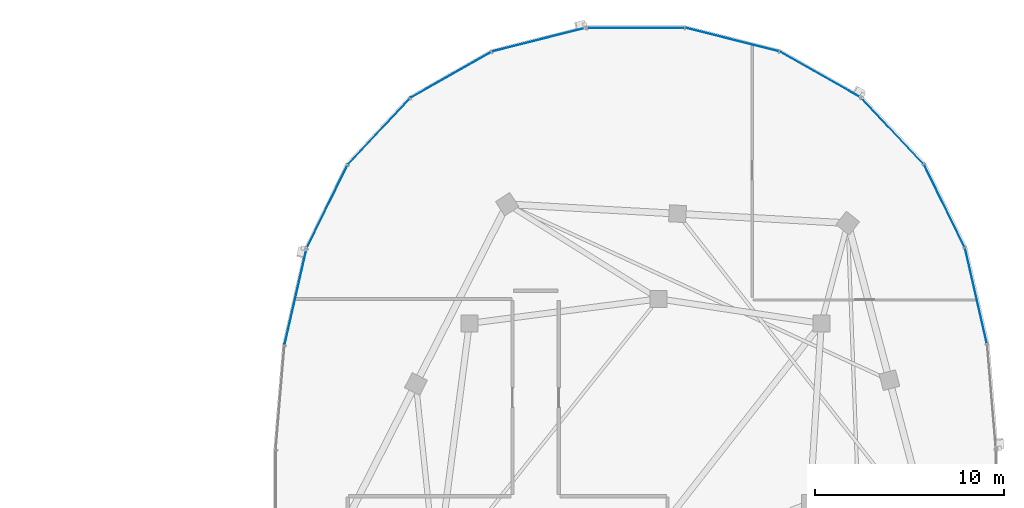
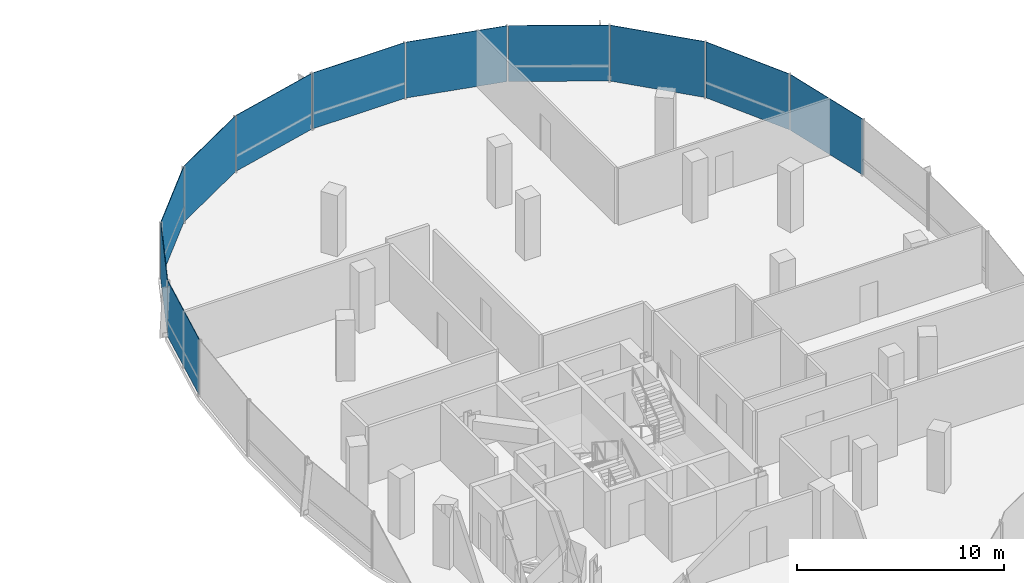
# One storey, part 14 of 25: 11 plates, 2 elements without a shape of their own.
"""IFC4 building model written with IfcOpenShell, lengths in metres."""

from ifc_helpers import new_model, si_unit, direction, frame, origin, origin_2d, place, context, subcontext, project, spatial, rectangle, extrude, material, layer, layer_set, type_object, element, aggregate, save


model = new_model("IFC4")

# Units and contexts
model_context = context("Model", 3, precision=1e-05, world=origin(), true_north=direction((0.0, 1.0)))
body_context = subcontext(model_context, "Body", "Model", "MODEL_VIEW")
ifc_project = project(units=[si_unit("LENGTHUNIT", "METRE"), si_unit("AREAUNIT", "SQUARE_METRE"), si_unit("VOLUMEUNIT", "CUBIC_METRE"), si_unit("PLANEANGLEUNIT", "RADIAN"), si_unit("MASSUNIT", "GRAM", prefix="KILO"), si_unit("THERMODYNAMICTEMPERATUREUNIT", "KELVIN"), si_unit("POWERUNIT", "WATT")], contexts=[model_context])

# Site, building, storey
site_placement = place(None, origin())
site = spatial("IfcSite", under=ifc_project, at=site_placement, CompositionType="ELEMENT")
building_placement = place(site_placement, origin())
building = spatial("IfcBuilding", under=site, at=building_placement, Name="Cundina Bronze Exchange", CompositionType="ELEMENT")
storey_placement = place(building_placement, frame((0.0, 0.0, 213.39990234375)))
storey = spatial("IfcBuildingStorey", under=building, at=storey_placement, Name="L56", CompositionType="ELEMENT", Elevation=213.39990234375)

# Curtain wall, plates
ifc_material_1 = material(Name="Anodised Bronze Aluminium 6063-T6", Category="aluminium")
curtain_wall_type = type_object("IfcCurtainWallType", Name="CWS-UPP-OFF", PredefinedType="NOTDEFINED", material=ifc_material_1)
curtain_wall_1_placement = place(storey_placement, origin())
curtain_wall_1 = element("IfcCurtainWall", 1, at=curtain_wall_1_placement, inside=storey, type_object=curtain_wall_type, Name="L56 CW-05 Curtain Wall Run CWR-L56-E1", PredefinedType="NOTDEFINED")
ifc_material_2 = material(Name="Heat-Strengthened Solar-Control Bronze Safety Glass 28mm", Category="glass")
ifc_layer_1 = layer(ifc_material_2, 0.028076171875, Name="Heat-Strengthened Solar-Control Bronze Safety Glass 28mm", Category="glass")
ifc_layer_set_1 = layer_set([ifc_layer_1], Name="Heat-Strengthened Solar-Control Bronze Safety Glass 28mm")
plate_type_1 = type_object("IfcPlateType", Name="PLT-GLZ-VIS28", PredefinedType="CURTAIN_PANEL", material=ifc_layer_set_1)
plate_1_placement = place(storey_placement, frame((49.98388671875, 10.92578125, 0.02001953125), z_axis=(0.0, 0.0, 1.0), x_axis=(-0.223284141459, 0.974753400698, 0.0)))
plate_1 = element("IfcPlate", 2, at=plate_1_placement, type_object=plate_type_1, Name="CW-05 Glazed Panel 2", PredefinedType="CURTAIN_PANEL", context=body_context, shape_type="SweptSolid", body=[
    extrude(rectangle(XDim=5.167724609375, YDim=0.028076171875, at=origin_2d()), origin(), (0.0, 0.0, 1.0), 3.300048828125),
])
plate_2_placement = place(storey_placement, frame((48.314697265625, 15.686767578125, 0.02001953125), z_axis=(0.0, 0.0, 1.0), x_axis=(-0.440503330345, 0.897750976582, 0.0)))
plate_2 = element("IfcPlate", 3, at=plate_2_placement, type_object=plate_type_1, Name="CW-05 Glazed Panel 3", PredefinedType="CURTAIN_PANEL", context=body_context, shape_type="SweptSolid", body=[
    extrude(rectangle(XDim=4.863525390625, YDim=0.028076171875, at=origin_2d()), origin(), (0.0, 0.0, 1.0), 3.300048828125),
])
plate_3_placement = place(storey_placement, frame((41.769287109375, 22.64111328125, 0.02001953125), z_axis=(0.0, 0.0, 1.0), x_axis=(-0.869572506985, 0.493805280547, 0.0)))
plate_3 = element("IfcPlate", 4, at=plate_3_placement, type_object=plate_type_1, Name="CW-05 Glazed Panel 5", PredefinedType="CURTAIN_PANEL", context=body_context, shape_type="SweptSolid", body=[
    extrude(rectangle(XDim=4.907958984375, YDim=0.028076171875, at=origin_2d()), origin(), (0.0, 0.0, 1.0), 3.300048828125),
])
plate_4_placement = place(storey_placement, frame((37.11279296875, 24.49609375, 0.02001953125), z_axis=(0.0, 0.0, 1.0), x_axis=(-0.969731542251, 0.244173577528, 0.0)))
plate_4 = element("IfcPlate", 5, at=plate_4_placement, type_object=plate_type_1, Name="CW-05 Glazed Panel 6", PredefinedType="CURTAIN_PANEL", context=body_context, shape_type="SweptSolid", body=[
    extrude(rectangle(XDim=5.0908203125, YDim=0.028076171875, at=origin_2d()), origin(), (0.0, 0.0, 1.0), 3.300048828125),
])
plate_5_placement = place(storey_placement, frame((32.0, 25.125, 0.02001953125), z_axis=(0.0, 0.0, 1.0), x_axis=(-1.0, 0.0, 0.0)))
plate_5 = element("IfcPlate", 6, at=plate_5_placement, type_object=plate_type_1, Name="CW-05 Glazed Panel 7", PredefinedType="CURTAIN_PANEL", context=body_context, shape_type="SweptSolid", body=[
    extrude(rectangle(XDim=5.16796875, YDim=0.028076171875, at=origin_2d()), origin(), (0.0, 0.0, 1.0), 3.300048828125),
])

curtain_wall_2_placement = place(storey_placement, origin())
curtain_wall_2 = element("IfcCurtainWall", 7, at=curtain_wall_2_placement, inside=storey, type_object=curtain_wall_type, Name="L56 CW-05 Curtain Wall Run CWR-L56-E2", PredefinedType="NOTDEFINED")
plate_6_placement = place(storey_placement, frame((26.88720703125, 24.49609375, 0.02001953125), z_axis=(0.0, 0.0, 1.0), x_axis=(-0.969731542251, -0.244173577528, 0.0)))
plate_6 = element("IfcPlate", 8, at=plate_6_placement, type_object=plate_type_1, Name="CW-05 Glazed Panel 1", PredefinedType="CURTAIN_PANEL", context=body_context, shape_type="SweptSolid", body=[
    extrude(rectangle(XDim=5.0908203125, YDim=0.028076171875, at=origin_2d()), origin(), (0.0, 0.0, 1.0), 3.300048828125),
])
plate_7_placement = place(storey_placement, frame((22.230712890625, 22.64111328125, 0.02001953125), z_axis=(0.0, 0.0, 1.0), x_axis=(-0.869572506985, -0.493805280547, 0.0)))
plate_7 = element("IfcPlate", 9, at=plate_7_placement, type_object=plate_type_1, Name="CW-05 Glazed Panel 2", PredefinedType="CURTAIN_PANEL", context=body_context, shape_type="SweptSolid", body=[
    extrude(rectangle(XDim=4.907958984375, YDim=0.028076171875, at=origin_2d()), origin(), (0.0, 0.0, 1.0), 3.300048828125),
])
plate_8_placement = place(storey_placement, frame((15.685302734375, 15.686767578125, 0.02001953125), z_axis=(0.0, 0.0, 1.0), x_axis=(-0.440503330345, -0.897750976582, 0.0)))
plate_8 = element("IfcPlate", 10, at=plate_8_placement, type_object=plate_type_1, Name="CW-05 Glazed Panel 4", PredefinedType="CURTAIN_PANEL", context=body_context, shape_type="SweptSolid", body=[
    extrude(rectangle(XDim=4.863525390625, YDim=0.028076171875, at=origin_2d()), origin(), (0.0, 0.0, 1.0), 3.300048828125),
])
plate_9_placement = place(storey_placement, frame((14.01611328125, 10.92578125, 0.02001953125), z_axis=(0.0, 0.0, 1.0), x_axis=(-0.223284141459, -0.974753400698, 0.0)))
plate_9 = element("IfcPlate", 11, at=plate_9_placement, type_object=plate_type_1, Name="CW-05 Glazed Panel 5", PredefinedType="CURTAIN_PANEL", context=body_context, shape_type="SweptSolid", body=[
    extrude(rectangle(XDim=5.167724609375, YDim=0.028076171875, at=origin_2d()), origin(), (0.0, 0.0, 1.0), 3.300048828125),
])

# Plate
ifc_material_3 = material(Name="Dark Bronze Spandrel Glass Panel 32mm", Category="glass")
ifc_layer_2 = layer(ifc_material_3, 0.031982421875, Name="Dark Bronze Spandrel Glass Panel 32mm", Category="glass")
ifc_layer_set_2 = layer_set([ifc_layer_2], Name="Dark Bronze Spandrel Glass Panel 32mm")
plate_type_2 = type_object("IfcPlateType", Name="PLT-SPN-BRZ32", PredefinedType="CURTAIN_PANEL", material=ifc_layer_set_2)
plate_10_placement = place(storey_placement, frame((45.5791015625, 19.6552734375, 0.02001953125), z_axis=(0.0, 0.0, 1.0), x_axis=(-0.684343512797, 0.72915976061, 0.0)))
plate_10 = element("IfcPlate", 12, at=plate_10_placement, type_object=plate_type_2, Name="CW-05 Glazed Panel 4", PredefinedType="CURTAIN_PANEL", context=body_context, shape_type="SweptSolid", body=[
    extrude(rectangle(XDim=4.773193359375, YDim=0.031982421875, at=origin_2d()), origin(), (0.0, 0.0, 1.0), 3.300048828125),
])

aggregate(curtain_wall_1, [plate_1, plate_2, plate_10, plate_3, plate_4, plate_5])

plate_11_placement = place(storey_placement, frame((18.4208984375, 19.6552734375, 0.02001953125), z_axis=(0.0, 0.0, 1.0), x_axis=(-0.684343512797, -0.72915976061, 0.0)))
plate_11 = element("IfcPlate", 13, at=plate_11_placement, type_object=plate_type_2, Name="CW-05 Glazed Panel 3", PredefinedType="CURTAIN_PANEL", context=body_context, shape_type="SweptSolid", body=[
    extrude(rectangle(XDim=4.773193359375, YDim=0.031982421875, at=origin_2d()), origin(), (0.0, 0.0, 1.0), 3.300048828125),
])

aggregate(curtain_wall_2, [plate_6, plate_7, plate_11, plate_8, plate_9])

save(model, "model.ifc")
